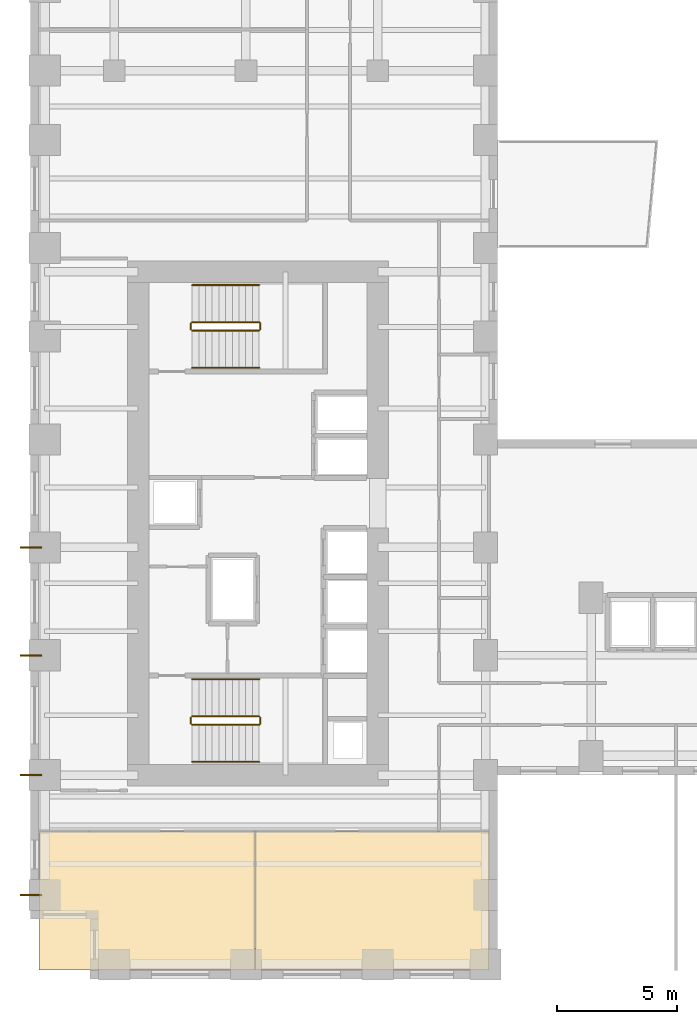
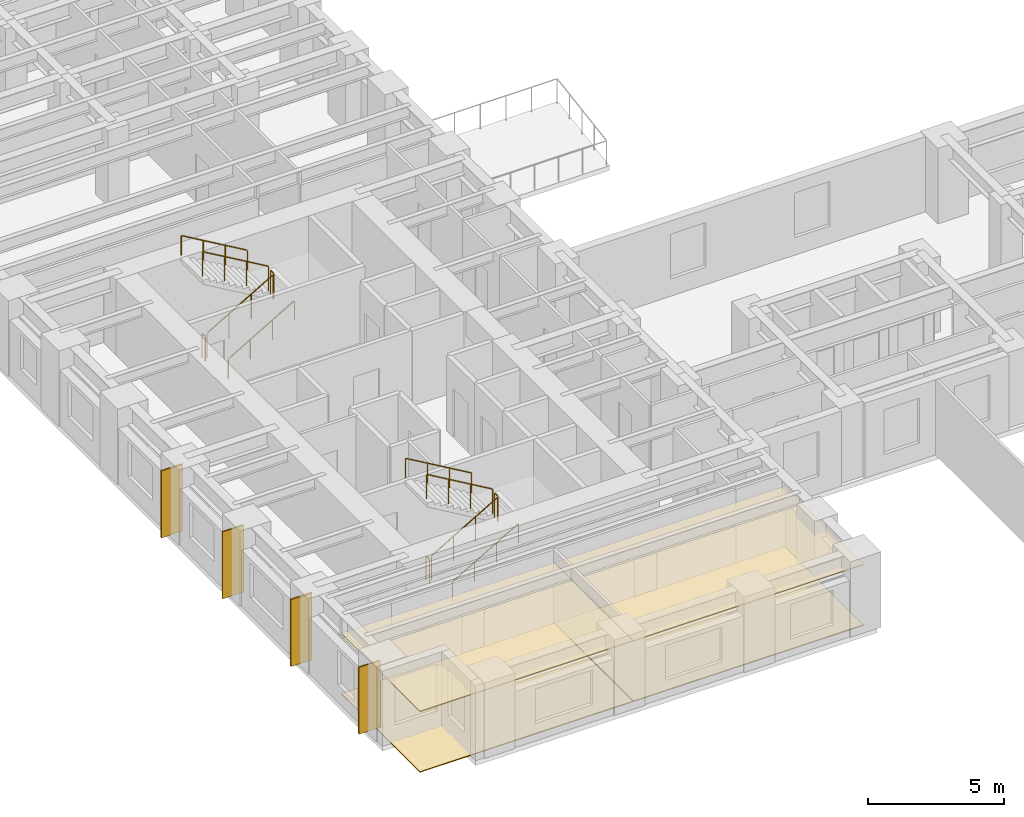
# One storey, part 10 of 11: 12 railings, 8 coverings.
"""IFC4 building model written with IfcOpenShell, lengths in metres."""

from ifc_helpers import new_model, si_unit, direction, frame, origin, origin_2d, place, context, subcontext, project, spatial, polyline, rectangle, circle, outline, extrude, source, transform, mapped, material, layer, layer_set, type_object, element, save


model = new_model("IFC4")

# Units and contexts
model_context = context("Model", 3, precision=1e-05, world=origin(), true_north=direction((0.0, 1.0)))
body_context = subcontext(model_context, "Body", "Model", "MODEL_VIEW")
ifc_project = project(units=[si_unit("LENGTHUNIT", "METRE"), si_unit("AREAUNIT", "SQUARE_METRE"), si_unit("VOLUMEUNIT", "CUBIC_METRE"), si_unit("PLANEANGLEUNIT", "RADIAN"), si_unit("MASSUNIT", "GRAM", prefix="KILO")], contexts=[model_context])

# Site, building, storey
site_placement = place(None, origin())
site = spatial("IfcSite", under=ifc_project, at=site_placement, CompositionType="ELEMENT")
building_placement = place(site_placement, origin())
building = spatial("IfcBuilding", under=site, at=building_placement, Name="Kharzan Plaza Tower", CompositionType="ELEMENT")
storey_placement = place(building_placement, frame((0.0, 0.0, 40.5)))
storey = spatial("IfcBuildingStorey", under=building, at=storey_placement, Name="L10", CompositionType="ELEMENT", Elevation=40.5)

# Coverings
ifc_material_1 = material(Name="Perforated Acoustic Mineral-Fibre Tile", Category="gypsum")
ifc_layer_1 = layer(ifc_material_1, 0.044921875)
ifc_layer_set_1 = layer_set([ifc_layer_1], Name="Perforated Acoustic Mineral-Fibre Tile")
covering_type_1 = type_object("IfcCoveringType", Name="COV-CEIL-ACT", PredefinedType="CEILING", material=ifc_layer_set_1)
covering_1_placement = place(storey_placement, frame((0.0, 0.0, 2.705078125)))
element("IfcCovering", 1, at=covering_1_placement, inside=storey, type_object=covering_type_1, Name="L10 Suspended Acoustic Ceiling RS1", PredefinedType="CEILING", context=body_context, shape_type="SweptSolid", body=[
    extrude(outline(polyline([(0.360107421875, 0.360107421875), (9.375, 0.360107421875), (9.375, 6.139892578125), (0.360107421875, 6.139892578125), (0.360107421875, 0.360107421875)])), origin(), (0.0, 0.0, 1.0), 0.044921875),
])
covering_2_placement = place(storey_placement, frame((0.0, 0.0, 2.705078125)))
element("IfcCovering", 2, at=covering_2_placement, inside=storey, type_object=covering_type_1, Name="L10 Suspended Acoustic Ceiling RS2", PredefinedType="CEILING", context=body_context, shape_type="SweptSolid", body=[
    extrude(outline(polyline([(9.39501953125, 0.360107421875), (19.139892578125, 0.360107421875), (19.139892578125, 6.139892578125), (9.39501953125, 6.139892578125), (9.39501953125, 0.360107421875)])), origin(), (0.0, 0.0, 1.0), 0.044921875),
])
ifc_material_2 = material(Name="Honed Najran Granite Terrazzo", Category="masonry")
ifc_layer_2 = layer(ifc_material_2, 0.0400390625)
ifc_layer_set_2 = layer_set([ifc_layer_2], Name="Honed Najran Granite Terrazzo")
covering_type_2 = type_object("IfcCoveringType", Name="COV-FLOOR-STN", PredefinedType="FLOORING", material=ifc_layer_set_2)
covering_3_placement = place(storey_placement, origin())
element("IfcCovering", 3, at=covering_3_placement, inside=storey, type_object=covering_type_2, Name="L10 Honed Granite Terrazzo Flooring RS1", PredefinedType="FLOORING", context=body_context, shape_type="SweptSolid", body=[
    extrude(outline(polyline([(0.360107421875, 0.360107421875), (9.375, 0.360107421875), (9.375, 6.139892578125), (0.360107421875, 6.139892578125), (0.360107421875, 0.360107421875)])), origin(), (0.0, 0.0, 1.0), 0.0400390625),
])
covering_4_placement = place(storey_placement, origin())
element("IfcCovering", 4, at=covering_4_placement, inside=storey, type_object=covering_type_2, Name="L10 Honed Granite Terrazzo Flooring RS2", PredefinedType="FLOORING", context=body_context, shape_type="SweptSolid", body=[
    extrude(outline(polyline([(9.39501953125, 0.360107421875), (19.139892578125, 0.360107421875), (19.139892578125, 6.139892578125), (9.39501953125, 6.139892578125), (9.39501953125, 0.360107421875)])), origin(), (0.0, 0.0, 1.0), 0.0400390625),
])

# Railings
ifc_material_3 = material(Name="Painted Galvanized Architectural Steel", Category="steel")
ifc_layer_3 = layer(ifc_material_3, 0.074951171875)
ifc_layer_set_3 = layer_set([ifc_layer_3], Name="Painted Galvanized Architectural Steel")
railing_type_1 = type_object("IfcRailingType", Name="RL-GUARD-1120", PredefinedType="BALUSTRADE", material=ifc_layer_set_3)
shared_shape_1 = source(origin(), body_context, "Body", "SweptSolid", [
    extrude(circle(Radius=0.02392578125, at=origin_2d()), frame((0.0, 0.0263671875, 1.09619140625), z_axis=(0.0, 1.0, 0.0), x_axis=(-1.0, 0.0, 0.0)), (0.0, 0.0, 1.0), 0.197021484375),
    extrude(circle(Radius=0.02099609375, at=origin_2d()), origin(), (0.0, 0.0, 1.0), 1.072021484375),
    extrude(circle(Radius=0.02099609375, at=origin_2d()), frame((0.0, 0.25, 0.0)), (0.0, 0.0, 1.0), 1.072021484375),
])
for number, where, name in (
    (5, (9.60009765625, 10.64990234375, 1.800048828125), "L10 ST-1 stair guard 2"),
    (6, (6.699951171875, 10.64990234375, 0.0), "L10 ST-1 stair guard 4"),
    (7, (9.60009765625, 27.10009765625, 1.800048828125), "L10 ST-2 stair guard 2"),
    (8, (6.699951171875, 27.10009765625, 0.0), "L10 ST-2 stair guard 4"),
):
    element("IfcRailing", number, at=place(storey_placement, frame(where)), inside=storey, type_object=railing_type_1, Name=name, PredefinedType="BALUSTRADE", context=body_context, shape_type="MappedRepresentation", body=[
        mapped(shared_shape_1, transform((0.0, 0.0, 0.0), x_axis=(1.0, 0.0, 0.0), y_axis=(0.0, 1.0, 0.0), z_axis=(0.0, 0.0, 1.0))),
    ])

# Coverings
ifc_material_4 = material(Name="Honed Riyadh Limestone", Category="masonry")
ifc_layer_4 = layer(ifc_material_4, 0.06005859375)
ifc_layer_set_4 = layer_set([ifc_layer_4], Name="Honed Riyadh Limestone")
covering_type_3 = type_object("IfcCoveringType", Name="COV-CLAD-STONE", PredefinedType="CLADDING", material=ifc_layer_set_4)
shared_shape_2 = source(origin(), body_context, "Body", "SweptSolid", [
    extrude(rectangle(XDim=0.06005859375, YDim=0.89990234375, at=origin_2d()), origin(), (0.0, 0.0, 1.0), 3.0),
])
for number, where, z_axis, x_axis, name in (
    (9, (0.02001953125, 13.5, 0.10009765625), (0.0, 0.0, 1.0), (0.0, 1.0, 0.0), "L10 Limestone Pier Rainscreen Cladding TCW-135"),
    (10, (0.02001953125, 18.0, 0.10009765625), (0.0, 0.0, 1.0), (0.0, 1.0, 0.0), "L10 Limestone Pier Rainscreen Cladding TCW-180"),
    (11, (0.02001953125, 3.5, 0.10009765625), (0.0, 0.0, 1.0), (0.0, 1.0, 0.0), "L10 Limestone Pier Rainscreen Cladding TCW-35"),
    (12, (0.02001953125, 8.5, 0.10009765625), (0.0, 0.0, 1.0), (0.0, 1.0, 0.0), "L10 Limestone Pier Rainscreen Cladding TCW-85"),
):
    element("IfcCovering", number, at=place(storey_placement, frame(where, z_axis=z_axis, x_axis=x_axis)), inside=storey, type_object=covering_type_3, Name=name, PredefinedType="CLADDING", context=body_context, shape_type="MappedRepresentation", body=[
        mapped(shared_shape_2, transform((0.0, 0.0, 0.0), x_axis=(1.0, 0.0, 0.0), y_axis=(0.0, 1.0, 0.0), z_axis=(0.0, 0.0, 1.0))),
    ])

# Railings
shared_shape_3 = source(origin(), body_context, "Body", "SweptSolid", [
    extrude(circle(Radius=0.02392578125, at=origin_2d()), frame((0.02294921875, 0.0, 1.109375), z_axis=(0.863360870873, 0.0, 0.504586966384), x_axis=(0.0, 1.0, 0.0)), (0.0, 0.0, 1.0), 3.190185546875),
    extrude(circle(Radius=0.02099609375, at=origin_2d()), origin(), (0.0, 0.0, 1.0), 1.072021484375),
    extrude(circle(Radius=0.02099609375, at=origin_2d()), frame((0.933349609375, 0.0, 0.54541015625)), (0.0, 0.0, 1.0), 1.072021484375),
    extrude(circle(Radius=0.02099609375, at=origin_2d()), frame((1.86669921875, 0.0, 1.091064453125)), (0.0, 0.0, 1.0), 1.072021484375),
    extrude(circle(Radius=0.02099609375, at=origin_2d()), frame((2.800048828125, 0.0, 1.636474609375)), (0.0, 0.0, 1.0), 1.072021484375),
])
for number, where, name in (
    (13, (6.75, 10.60009765625, 0.16357421875), "L10 ST-1 stair guard 1"),
    (14, (6.75, 27.050048828125, 0.16357421875), "L10 ST-2 stair guard 1"),
):
    element("IfcRailing", number, at=place(storey_placement, frame(where)), inside=storey, type_object=railing_type_1, Name=name, PredefinedType="BALUSTRADE", context=body_context, shape_type="MappedRepresentation", body=[
        mapped(shared_shape_3, transform((0.0, 0.0, 0.0), x_axis=(1.0, 0.0, 0.0), y_axis=(0.0, 1.0, 0.0), z_axis=(0.0, 0.0, 1.0))),
    ])
shared_shape_4 = source(origin(), body_context, "Body", "SweptSolid", [
    extrude(circle(Radius=0.02392578125, at=origin_2d()), frame((-0.02294921875, 0.0, 1.109375), z_axis=(-0.863360870873, 0.0, 0.504586966384), x_axis=(0.0, -1.0, 0.0)), (0.0, 0.0, 1.0), 3.190185546875),
    extrude(circle(Radius=0.02099609375, at=origin_2d()), origin(), (0.0, 0.0, 1.0), 1.072021484375),
    extrude(circle(Radius=0.02099609375, at=origin_2d()), frame((-0.933349609375, 0.0, 0.54541015625)), (0.0, 0.0, 1.0), 1.072021484375),
    extrude(circle(Radius=0.02099609375, at=origin_2d()), frame((-1.86669921875, 0.0, 1.091064453125)), (0.0, 0.0, 1.0), 1.072021484375),
    extrude(circle(Radius=0.02099609375, at=origin_2d()), frame((-2.800048828125, 0.0, 1.636474609375)), (0.0, 0.0, 1.0), 1.072021484375),
])
for number, where, name in (
    (15, (9.550048828125, 10.949951171875, 1.963623046875), "L10 ST-1 stair guard 3"),
    (16, (9.550048828125, 27.39990234375, 1.963623046875), "L10 ST-2 stair guard 3"),
):
    element("IfcRailing", number, at=place(storey_placement, frame(where)), inside=storey, type_object=railing_type_1, Name=name, PredefinedType="BALUSTRADE", context=body_context, shape_type="MappedRepresentation", body=[
        mapped(shared_shape_4, transform((0.0, 0.0, 0.0), x_axis=(1.0, 0.0, 0.0), y_axis=(0.0, 1.0, 0.0), z_axis=(0.0, 0.0, 1.0))),
    ])
ifc_material_5 = material(Name="Brushed Stainless Steel", Category="steel")
ifc_layer_5 = layer(ifc_material_5, 0.050048828125)
ifc_layer_set_5 = layer_set([ifc_layer_5], Name="Brushed Stainless Steel")
railing_type_2 = type_object("IfcRailingType", Name="RL-STAIR-HR920", PredefinedType="HANDRAIL", material=ifc_layer_set_5)
shared_shape_5 = source(origin(), body_context, "Body", "SweptSolid", [
    extrude(circle(Radius=0.02392578125, at=origin_2d()), frame((0.02294921875, 0.0, 0.88916015625), z_axis=(0.863360870873, 0.0, 0.504586966384), x_axis=(0.0, 1.0, 0.0)), (0.0, 0.0, 1.0), 3.190185546875),
    extrude(circle(Radius=0.02099609375, at=origin_2d()), origin(), (0.0, 0.0, 1.0), 0.851806640625),
    extrude(circle(Radius=0.02099609375, at=origin_2d()), frame((0.933349609375, 0.0, 0.54541015625)), (0.0, 0.0, 1.0), 0.851806640625),
    extrude(circle(Radius=0.02099609375, at=origin_2d()), frame((1.86669921875, 0.0, 1.091064453125)), (0.0, 0.0, 1.0), 0.851806640625),
    extrude(circle(Radius=0.02099609375, at=origin_2d()), frame((2.800048828125, 0.0, 1.636474609375)), (0.0, 0.0, 1.0), 0.851806640625),
])
for number, where, name in (
    (17, (6.75, 9.050048828125, 0.16357421875), "L10 ST-1 stair handrail 1"),
    (18, (6.75, 25.5, 0.16357421875), "L10 ST-2 stair handrail 1"),
):
    element("IfcRailing", number, at=place(storey_placement, frame(where)), inside=storey, type_object=railing_type_2, Name=name, PredefinedType="HANDRAIL", context=body_context, shape_type="MappedRepresentation", body=[
        mapped(shared_shape_5, transform((0.0, 0.0, 0.0), x_axis=(1.0, 0.0, 0.0), y_axis=(0.0, 1.0, 0.0), z_axis=(0.0, 0.0, 1.0))),
    ])
shared_shape_6 = source(origin(), body_context, "Body", "SweptSolid", [
    extrude(circle(Radius=0.02392578125, at=origin_2d()), frame((-0.02294921875, 0.0, 0.88916015625), z_axis=(-0.863360870873, 0.0, 0.504586966384), x_axis=(0.0, -1.0, 0.0)), (0.0, 0.0, 1.0), 3.190185546875),
    extrude(circle(Radius=0.02099609375, at=origin_2d()), origin(), (0.0, 0.0, 1.0), 0.851806640625),
    extrude(circle(Radius=0.02099609375, at=origin_2d()), frame((-0.933349609375, 0.0, 0.54541015625)), (0.0, 0.0, 1.0), 0.851806640625),
    extrude(circle(Radius=0.02099609375, at=origin_2d()), frame((-1.86669921875, 0.0, 1.091064453125)), (0.0, 0.0, 1.0), 0.851806640625),
    extrude(circle(Radius=0.02099609375, at=origin_2d()), frame((-2.800048828125, 0.0, 1.636474609375)), (0.0, 0.0, 1.0), 0.851806640625),
])
for number, where, name in (
    (19, (9.550048828125, 12.5, 1.963623046875), "L10 ST-1 stair handrail 2"),
    (20, (9.550048828125, 28.949951171875, 1.963623046875), "L10 ST-2 stair handrail 2"),
):
    element("IfcRailing", number, at=place(storey_placement, frame(where)), inside=storey, type_object=railing_type_2, Name=name, PredefinedType="HANDRAIL", context=body_context, shape_type="MappedRepresentation", body=[
        mapped(shared_shape_6, transform((0.0, 0.0, 0.0), x_axis=(1.0, 0.0, 0.0), y_axis=(0.0, 1.0, 0.0), z_axis=(0.0, 0.0, 1.0))),
    ])

save(model, "model.ifc")
